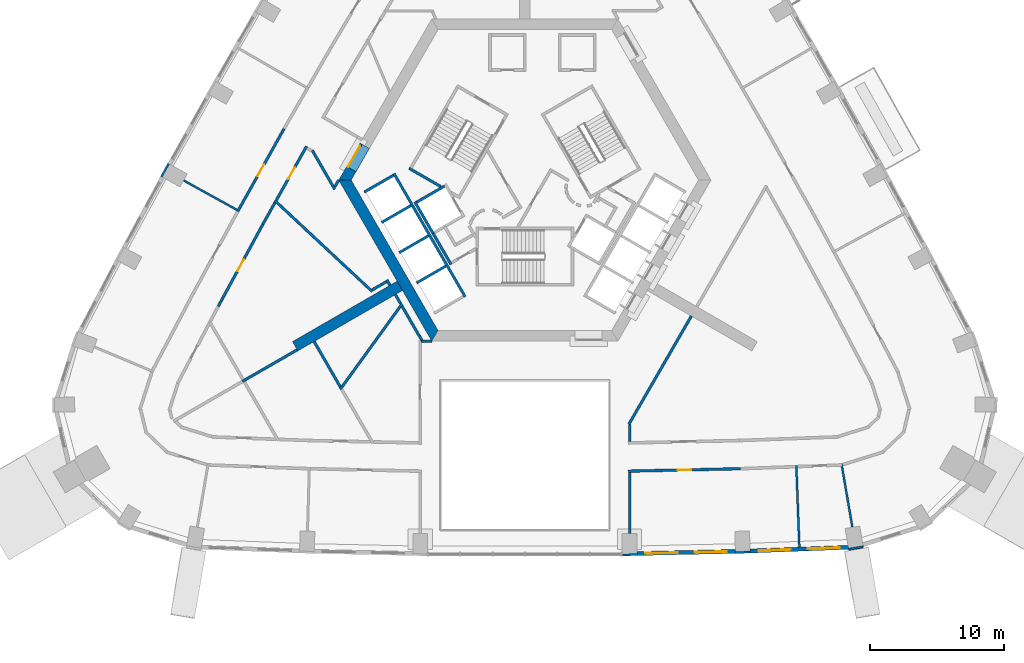
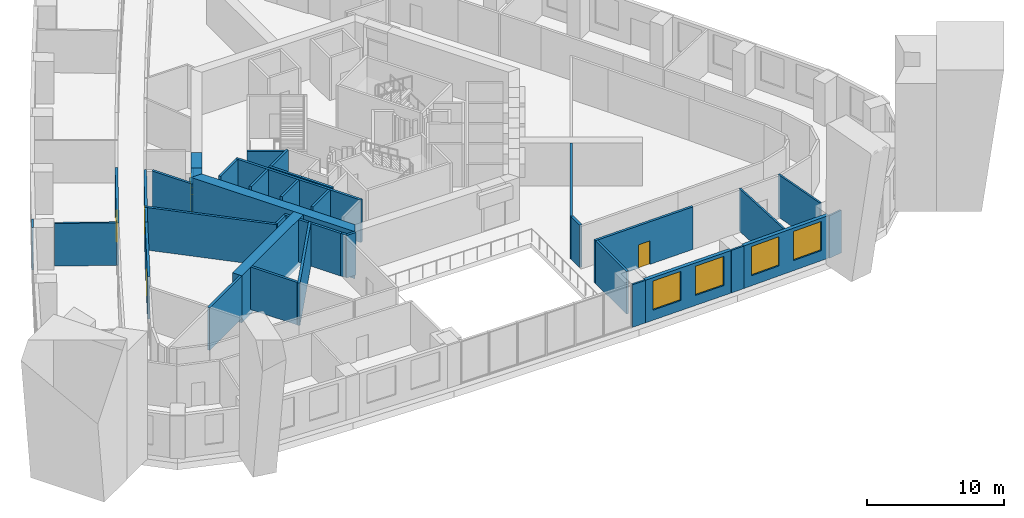
# One storey, part 5 of 14: 43 walls, 5 doors, 4 windows, 9 openings.
"""IFC4 building model written with IfcOpenShell, lengths in metres."""

from ifc_helpers import new_model, si_unit, direction, frame, frame_2d, origin, place, context, subcontext, project, spatial, polyline, rectangle, outline, extrude, material, layer, layer_set, type_object, element, fill, save


model = new_model("IFC4")

# Units and contexts
model_context = context("Model", 3, precision=1e-05, world=origin(), true_north=direction((0.0, 1.0)))
body_context = subcontext(model_context, "Body", "Model", "MODEL_VIEW")
ifc_project = project(units=[si_unit("LENGTHUNIT", "METRE"), si_unit("AREAUNIT", "SQUARE_METRE"), si_unit("VOLUMEUNIT", "CUBIC_METRE"), si_unit("PLANEANGLEUNIT", "RADIAN"), si_unit("MASSUNIT", "GRAM", prefix="KILO")], contexts=[model_context])

# Site, building, storey
site_placement = place(None, origin())
site = spatial("IfcSite", under=ifc_project, at=site_placement, CompositionType="ELEMENT")
building_placement = place(site_placement, origin())
building = spatial("IfcBuilding", under=site, at=building_placement, Name="Entoto Arch Interchange Tower", CompositionType="ELEMENT")
storey_placement = place(building_placement, frame((0.0, 0.0, 163.39990234375)))
storey = spatial("IfcBuildingStorey", under=building, at=storey_placement, Name="L36", CompositionType="ELEMENT", Elevation=163.39990234375)

# Wall
ifc_material_1 = material(Name="Concrete C50/60", Category="concrete")
ifc_layer_1 = layer(ifc_material_1, 0.800048828125)
ifc_layer_set_1 = layer_set([ifc_layer_1], Name="Concrete C50/60")
wall_type_1 = type_object("IfcWallType", Name="Buttress wall 800 C50/60", PredefinedType="SHEAR", material=ifc_layer_set_1)
wall_1_placement = place(storey_placement, frame((-9.31005859375, -5.375, -0.39990234375), z_axis=(0.0, 0.0, 1.0), x_axis=(-0.866017533419, -0.500013631625, 0.0)))
element("IfcWall", 1, at=wall_1_placement, inside=storey, type_object=wall_type_1, Name="Buttress wall SW L36", PredefinedType="SHEAR", context=body_context, shape_type="SweptSolid", body=[
    extrude(rectangle(XDim=8.999755859375, YDim=0.800048828125, at=frame_2d((4.5, 0.0))), origin(), (0.0, 0.0, 1.0), 4.199951171875),
])

# Wall, opening, door
ifc_material_2 = material(Name="Reinforced concrete C40/50", Category="concrete")
ifc_layer_2 = layer(ifc_material_2, 0.199951171875)
ifc_layer_set_2 = layer_set([ifc_layer_2], Name="Reinforced concrete C40/50")
wall_type_2 = type_object("IfcWallType", Name="CORE GAP INFILL WALL", PredefinedType="PARTITIONING", material=ifc_layer_set_2)
wall_2_placement = place(storey_placement, frame((-12.179931640625, 5.201904296875, 0.0), z_axis=(0.0, 0.0, 1.0), x_axis=(-0.50002537861, -0.866010750942, 0.0)))
wall_2 = element("IfcWall", 2, at=wall_2_placement, inside=storey, type_object=wall_type_2, Name="wall:L36:gap3", PredefinedType="PARTITIONING", context=body_context, shape_type="SweptSolid", body=[
    extrude(rectangle(XDim=2.0, YDim=0.199951171875, at=frame_2d((1.0, 0.0))), origin(), (0.0, 0.0, 1.0), 2.400146484375),
])
opening_1_placement = place(wall_2_placement, frame((0.18994140625, 0.0, 0.0)))
opening_1 = element("IfcOpeningElement", 3, at=opening_1_placement, cuts=wall_2, Name="Opening L36-D93", PredefinedType="OPENING", context=body_context, shape_type="SweptSolid", body=[
    extrude(rectangle(XDim=1.800048828125, YDim=2.10009765625, at=frame_2d((0.89990234375, 1.050048828125))), frame((0.0, 0.10986328125, 0.0), z_axis=(0.0, -1.0, 0.0), x_axis=(1.0, 0.0, 0.0)), (0.0, 0.0, 1.0), 0.219970703125),
])
ifc_material_3 = material(Name="Fire-rated Steel S235 door and frame", Category="steel")
door_type_1 = type_object("IfcDoorType", Name="DOOR FD-18 1800x2100", OperationType="DOUBLE_DOOR_SINGLE_SWING", PredefinedType="DOOR", material=ifc_material_3)
door_1_placement = place(opening_1_placement, origin())
door_1 = element("IfcDoor", 4, at=door_1_placement, inside=storey, type_object=door_type_1, Name="door:L36:gap3", OperationType="DOUBLE_DOOR_SINGLE_SWING", OverallHeight=2.10009765625, OverallWidth=1.800048828125, PredefinedType="DOOR", context=body_context, shape_type="SweptSolid", body=[
    extrude(rectangle(XDim=1.800048828125, YDim=2.10009765625, at=frame_2d((0.89990234375, 1.050048828125))), frame((0.0, 0.02490234375, 0.0), z_axis=(0.0, -1.0, 0.0), x_axis=(1.0, 0.0, 0.0)), (0.0, 0.0, 1.0), 0.050048828125),
])
fill(opening_1, door_1)

# Walls
ifc_layer_3 = layer(ifc_material_1, 0.800048828125)
ifc_layer_set_3 = layer_set([ifc_layer_3], Name="Concrete C50/60")
wall_type_3 = type_object("IfcWallType", Name="Core wall 800 C50/60", PredefinedType="SHEAR", material=ifc_layer_set_3)
wall_3_placement = place(storey_placement, frame((0.0, 0.0, -0.39990234375)))
element("IfcWall", 5, at=wall_3_placement, inside=storey, type_object=wall_type_3, Name="Core wall NW L36", PredefinedType="SHEAR", context=body_context, shape_type="SweptSolid", body=[
    extrude(outline(polyline([(-12.574951171875, 3.1201171875), (-13.26708984375, 3.52001953125), (-13.85595703125, 2.5), (-12.93310546875, 2.5), (-12.574951171875, 3.1201171875)])), origin(), (0.0, 0.0, 1.0), 4.199951171875),
])
wall_4_placement = place(storey_placement, frame((0.0, 0.0, 3.60009765625)))
element("IfcWall", 6, at=wall_4_placement, inside=storey, type_object=wall_type_3, Name="Core wall lintel NW L36", PredefinedType="SHEAR", context=body_context, shape_type="SweptSolid", body=[
    extrude(outline(polyline([(-13.26708984375, 3.52001953125), (-12.574951171875, 3.1201171875), (-11.574951171875, 4.85205078125), (-12.26708984375, 5.251953125), (-13.26708984375, 3.52001953125)])), origin(), (0.0, 0.0, 1.0), 0.199951171875),
])
wall_5_placement = place(storey_placement, frame((0.0, 0.0, -0.39990234375)))
element("IfcWall", 7, at=wall_5_placement, inside=storey, type_object=wall_type_3, Name="Core wall SW L36", PredefinedType="SHEAR", context=body_context, shape_type="SweptSolid", body=[
    extrude(outline(polyline([(-13.85595703125, 2.5), (-6.927978515625, -9.5), (-6.466064453125, -8.699951171875), (-12.93310546875, 2.5), (-13.85595703125, 2.5)])), origin(), (0.0, 0.0, 1.0), 4.199951171875),
])
ifc_material_4 = material(Name="Concrete C40/50", Category="concrete")
ifc_layer_4 = layer(ifc_material_4, 0.199951171875)
ifc_layer_set_4 = layer_set([ifc_layer_4], Name="Concrete C40/50")
wall_type_4 = type_object("IfcWallType", Name="LIFT SHAFT WALL 200", PredefinedType="STANDARD", material=ifc_layer_set_4)
wall_6_placement = place(storey_placement, frame((-8.19189453125, 0.887939453125, 0.0), z_axis=(0.0, 0.0, 1.0), x_axis=(0.49994636267, -0.866056369097, 0.0)))
element("IfcWall", 8, at=wall_6_placement, inside=storey, type_object=wall_type_4, Name="Shaft wall SW1 back", PredefinedType="STANDARD", context=body_context, shape_type="SweptSolid", body=[
    extrude(rectangle(XDim=2.800048828125, YDim=0.199951171875, at=frame_2d((1.39990234375, 0.0))), origin(), (0.0, 0.0, 1.0), 3.800048828125),
])
wall_7_placement = place(storey_placement, frame((-5.97705078125, 2.052001953125, 0.0), z_axis=(0.0, 0.0, 1.0), x_axis=(-0.865973769406, -0.500089422704, 0.0)))
element("IfcWall", 9, at=wall_7_placement, inside=storey, type_object=wall_type_4, Name="Shaft wall SW1 cross 1", PredefinedType="STANDARD", context=body_context, shape_type="SweptSolid", body=[
    extrude(rectangle(XDim=2.3994140625, YDim=0.199951171875, at=frame_2d((1.19970703125, 0.0))), origin(), (0.0, 0.0, 1.0), 3.800048828125),
])
wall_8_placement = place(storey_placement, frame((-9.7509765625, 2.989990234375, 0.0), z_axis=(0.0, 0.0, 1.0), x_axis=(0.50000090737, -0.866024879913, 0.0)))
element("IfcWall", 10, at=wall_8_placement, inside=storey, type_object=wall_type_4, Name="Shaft wall SW3 front", PredefinedType="STANDARD", context=body_context, shape_type="SweptSolid", body=[
    extrude(rectangle(XDim=10.60009765625, YDim=0.199951171875, at=frame_2d((5.300048828125, 0.0))), origin(), (0.0, 0.0, 1.0), 3.800048828125),
])
wall_9_placement = place(storey_placement, frame((-9.7880859375, 2.85302734375, 0.0), z_axis=(0.0, 0.0, 1.0), x_axis=(-0.865998541277, -0.500046524342, 0.0)))
element("IfcWall", 11, at=wall_9_placement, inside=storey, type_object=wall_type_4, Name="Shaft wall SW3 cross 1", PredefinedType="STANDARD", context=body_context, shape_type="SweptSolid", body=[
    extrude(rectangle(XDim=2.499755859375, YDim=0.199951171875, at=frame_2d((1.25, 0.0))), origin(), (0.0, 0.0, 1.0), 3.800048828125),
])
for number, where, z_axis, x_axis, name in (
    (12, (-8.488037109375, 0.60205078125, 0.0), (0.0, 0.0, 1.0), (-0.866022959057, -0.500004234368, 0.0), "Shaft wall SW3 cross 2"),
    (13, (-7.18798828125, -1.64990234375, 0.0), (0.0, 0.0, 1.0), (-0.866022959057, -0.500004234368, 0.0), "Shaft wall SW3 cross 3"),
    (14, (-5.887939453125, -3.902099609375, 0.0), (0.0, 0.0, 1.0), (-0.866022959057, -0.500004234368, 0.0), "Shaft wall SW3 cross 4"),
):
    element("IfcWall", number, at=place(storey_placement, frame(where, z_axis=z_axis, x_axis=x_axis)), inside=storey, type_object=wall_type_4, Name=name, PredefinedType="STANDARD", context=body_context, shape_type="SweptSolid", body=[
        extrude(rectangle(XDim=2.5, YDim=0.199951171875, at=frame_2d((1.25, 0.0))), origin(), (0.0, 0.0, 1.0), 3.800048828125),
    ])
ifc_material_5 = material(Name="Gypsum board partition on steel studs", Category="steel")
ifc_layer_5 = layer(ifc_material_5, 0.14990234375)
ifc_layer_set_5 = layer_set([ifc_layer_5], Name="Gypsum board partition on steel studs")
wall_type_5 = type_object("IfcWallType", Name="PARTITION 150", PredefinedType="PARTITIONING", material=ifc_layer_set_5)
wall_10_placement = place(storey_placement, frame((20.215087890625, -18.738037109375, 0.0), z_axis=(0.0, 0.0, 1.0), x_axis=(0.037020542149, -0.999314504778, 0.0)))
element("IfcWall", 15, at=wall_10_placement, inside=storey, type_object=wall_type_5, Name="wall:L36:p134", PredefinedType="PARTITIONING", context=body_context, shape_type="SweptSolid", body=[
    extrude(rectangle(XDim=6.10009765625, YDim=0.14990234375, at=frame_2d((3.050048828125, 0.0))), origin(), (0.0, 0.0, 1.0), 3.800048828125),
])
wall_11_placement = place(storey_placement, frame((23.577880859375, -18.614013671875, 0.0), z_axis=(0.0, 0.0, 1.0), x_axis=(0.169054430835, -0.985606716401, 0.0)))
element("IfcWall", 16, at=wall_11_placement, inside=storey, type_object=wall_type_5, Name="wall:L36:p135", PredefinedType="PARTITIONING", context=body_context, shape_type="SweptSolid", body=[
    extrude(rectangle(XDim=4.785888671875, YDim=0.14990234375, at=frame_2d((2.39306640625, 0.0))), origin(), (0.0, 0.0, 1.0), 3.800048828125),
])
wall_12_placement = place(storey_placement, frame((-21.431884765625, 0.278076171875, 0.0), z_axis=(0.0, 0.0, 1.0), x_axis=(-0.875412579047, 0.483376474857, 0.0)))
element("IfcWall", 17, at=wall_12_placement, inside=storey, type_object=wall_type_5, Name="wall:L36:p143", PredefinedType="PARTITIONING", context=body_context, shape_type="SweptSolid", body=[
    extrude(rectangle(XDim=4.530517578125, YDim=0.14990234375, at=frame_2d((2.26513671875, 0.0))), origin(), (0.0, 0.0, 1.0), 3.800048828125),
])
ifc_layer_6 = layer(ifc_material_5, 0.199951171875)
ifc_layer_set_6 = layer_set([ifc_layer_6], Name="Gypsum board partition on steel studs")
wall_type_6 = type_object("IfcWallType", Name="PARTITION 200", PredefinedType="PARTITIONING", material=ifc_layer_set_6)
wall_13_placement = place(storey_placement, frame((-13.85009765625, 2.513916015625, 0.0), z_axis=(0.0, 0.0, 1.0), x_axis=(-0.500418219013, -0.865783810244, 0.0)))
element("IfcWall", 18, at=wall_13_placement, inside=storey, type_object=wall_type_6, Name="wall:L36:p027", PredefinedType="PARTITIONING", context=body_context, shape_type="SweptSolid", body=[
    extrude(rectangle(XDim=0.607421875, YDim=0.199951171875, at=frame_2d((0.3037109375, 0.0))), origin(), (0.0, 0.0, 1.0), 3.800048828125),
])
wall_14_placement = place(storey_placement, frame((-14.154052734375, 1.81494140625, 0.0), z_axis=(0.0, 0.0, 1.0), x_axis=(-0.500038857296, 0.866002968352, 0.0)))
element("IfcWall", 19, at=wall_14_placement, inside=storey, type_object=wall_type_6, Name="wall:L36:p028", PredefinedType="PARTITIONING", context=body_context, shape_type="SweptSolid", body=[
    extrude(rectangle(XDim=3.339599609375, YDim=0.199951171875, at=frame_2d((1.669921875, 0.0))), origin(), (0.0, 0.0, 1.0), 3.800048828125),
])

# Wall, opening, door
wall_15_placement = place(storey_placement, frame((-16.2548828125, 5.013916015625, 0.0), z_axis=(0.0, 0.0, 1.0), x_axis=(-0.488988017817, -0.87229050117, 0.0)))
wall_15 = element("IfcWall", 20, at=wall_15_placement, inside=storey, type_object=wall_type_6, Name="wall:L36:p030", PredefinedType="PARTITIONING", context=body_context, shape_type="SweptSolid", body=[
    extrude(rectangle(XDim=4.599365234375, YDim=0.199951171875, at=frame_2d((2.2998046875, 0.0))), origin(), (0.0, 0.0, 1.0), 3.800048828125),
])
opening_2_placement = place(wall_15_placement, frame((1.800048828125, 0.0, 0.0)))
opening_2 = element("IfcOpeningElement", 21, at=opening_2_placement, cuts=wall_15, Name="Opening L36-D17", PredefinedType="OPENING", context=body_context, shape_type="SweptSolid", body=[
    extrude(rectangle(XDim=1.0, YDim=2.10009765625, at=frame_2d((0.5, 1.050048828125))), frame((0.0, 0.10986328125, 0.0), z_axis=(0.0, -1.0, 0.0), x_axis=(1.0, 0.0, 0.0)), (0.0, 0.0, 1.0), 0.219970703125),
])
ifc_material_6 = material(Name="Timber door leaf in Steel S235 frame", Category="steel")
door_type_2 = type_object("IfcDoorType", Name="DOOR DS-10 1000x2100", OperationType="SINGLE_SWING_LEFT", PredefinedType="DOOR", material=ifc_material_6)
door_2_placement = place(opening_2_placement, origin())
door_2 = element("IfcDoor", 22, at=door_2_placement, inside=storey, type_object=door_type_2, Name="door:L36:17", OperationType="SINGLE_SWING_LEFT", OverallHeight=2.10009765625, OverallWidth=1.0, PredefinedType="DOOR", context=body_context, shape_type="SweptSolid", body=[
    extrude(rectangle(XDim=1.0, YDim=2.10009765625, at=frame_2d((0.5, 1.050048828125))), frame((0.0, 0.02490234375, 0.0), z_axis=(0.0, -1.0, 0.0), x_axis=(1.0, 0.0, 0.0)), (0.0, 0.0, 1.0), 0.050048828125),
])
fill(opening_2, door_2)

# Wall
wall_16_placement = place(storey_placement, frame((-18.60205078125, 0.827880859375, 0.0), z_axis=(0.0, 0.0, 1.0), x_axis=(-0.488969229043, -0.872301033502, 0.0)))
element("IfcWall", 23, at=wall_16_placement, inside=storey, type_object=wall_type_6, Name="wall:L36:p032", PredefinedType="PARTITIONING", context=body_context, shape_type="SweptSolid", body=[
    extrude(rectangle(XDim=1.848876953125, YDim=0.199951171875, at=frame_2d((0.92431640625, 0.0))), origin(), (0.0, 0.0, 1.0), 3.800048828125),
])

# Wall, opening, door
wall_17_placement = place(storey_placement, frame((-19.506103515625, -0.784912109375, 0.0), z_axis=(0.0, 0.0, 1.0), x_axis=(-0.477513909405, -0.878624189472, 0.0)))
wall_17 = element("IfcWall", 24, at=wall_17_placement, inside=storey, type_object=wall_type_6, Name="wall:L36:p033", PredefinedType="PARTITIONING", context=body_context, shape_type="SweptSolid", body=[
    extrude(rectangle(XDim=6.956298828125, YDim=0.199951171875, at=frame_2d((3.47802734375, 0.0))), origin(), (0.0, 0.0, 1.0), 3.800048828125),
])
opening_3_placement = place(wall_17_placement, frame((2.97802734375, 0.0, 0.0)))
opening_3 = element("IfcOpeningElement", 25, at=opening_3_placement, cuts=wall_17, Name="Opening L36-D19", PredefinedType="OPENING", context=body_context, shape_type="SweptSolid", body=[
    extrude(rectangle(XDim=1.0, YDim=2.10009765625, at=frame_2d((0.5, 1.050048828125))), frame((0.0, 0.10986328125, 0.0), z_axis=(0.0, -1.0, 0.0), x_axis=(1.0, 0.0, 0.0)), (0.0, 0.0, 1.0), 0.219970703125),
])
door_3_placement = place(opening_3_placement, origin())
door_3 = element("IfcDoor", 26, at=door_3_placement, inside=storey, type_object=door_type_2, Name="door:L36:19", OperationType="SINGLE_SWING_LEFT", OverallHeight=2.10009765625, OverallWidth=1.0, PredefinedType="DOOR", context=body_context, shape_type="SweptSolid", body=[
    extrude(rectangle(XDim=1.0, YDim=2.10009765625, at=frame_2d((0.5, 1.050048828125))), frame((0.0, 0.02490234375, 0.0), z_axis=(0.0, -1.0, 0.0), x_axis=(1.0, 0.0, 0.0)), (0.0, 0.0, 1.0), 0.050048828125),
])
fill(opening_3, door_3)

wall_18_placement = place(storey_placement, frame((16.049072265625, -18.991943359375, 0.0), z_axis=(0.0, 0.0, 1.0), x_axis=(-0.999762156504, -0.021808952826, 0.0)))
wall_18 = element("IfcWall", 27, at=wall_18_placement, inside=storey, type_object=wall_type_6, Name="wall:L36:p044", PredefinedType="PARTITIONING", context=body_context, shape_type="SweptSolid", body=[
    extrude(rectangle(XDim=8.35107421875, YDim=0.199951171875, at=frame_2d((4.175537109375, 0.0))), origin(), (0.0, 0.0, 1.0), 3.800048828125),
])
opening_4_placement = place(wall_18_placement, frame((3.675048828125, 0.0, 0.0)))
opening_4 = element("IfcOpeningElement", 28, at=opening_4_placement, cuts=wall_18, Name="Opening L36-D01", PredefinedType="OPENING", context=body_context, shape_type="SweptSolid", body=[
    extrude(rectangle(XDim=1.0, YDim=2.10009765625, at=frame_2d((0.5, 1.050048828125))), frame((0.0, 0.10986328125, 0.0), z_axis=(0.0, -1.0, 0.0), x_axis=(1.0, 0.0, 0.0)), (0.0, 0.0, 1.0), 0.219970703125),
])
door_4_placement = place(opening_4_placement, origin())
door_4 = element("IfcDoor", 29, at=door_4_placement, inside=storey, type_object=door_type_2, Name="door:L36:01", OperationType="SINGLE_SWING_RIGHT", OverallHeight=2.10009765625, OverallWidth=1.0, PredefinedType="DOOR", context=body_context, shape_type="SweptSolid", body=[
    extrude(rectangle(XDim=1.0, YDim=2.10009765625, at=frame_2d((0.5, 1.050048828125))), frame((0.0, 0.02490234375, 0.0), z_axis=(0.0, -1.0, 0.0), x_axis=(1.0, 0.0, 0.0)), (0.0, 0.0, 1.0), 0.050048828125),
])
fill(opening_4, door_4)

wall_19_placement = place(storey_placement, frame((-21.381103515625, 0.1650390625, 0.0), z_axis=(0.0, 0.0, 1.0), x_axis=(0.489014139272, 0.872275857509, 0.0)))
wall_19 = element("IfcWall", 30, at=wall_19_placement, inside=storey, type_object=wall_type_6, Name="wall:L36:p068", PredefinedType="PARTITIONING", context=body_context, shape_type="SweptSolid", body=[
    extrude(rectangle(XDim=7.057373046875, YDim=0.199951171875, at=frame_2d((3.52880859375, 0.0))), origin(), (0.0, 0.0, 1.0), 3.800048828125),
])
opening_5_placement = place(wall_19_placement, frame((3.029052734375, 0.0, 0.0)))
opening_5 = element("IfcOpeningElement", 31, at=opening_5_placement, cuts=wall_19, Name="Opening L36-D10", PredefinedType="OPENING", context=body_context, shape_type="SweptSolid", body=[
    extrude(rectangle(XDim=1.0, YDim=2.10009765625, at=frame_2d((0.5, 1.050048828125))), frame((0.0, 0.10986328125, 0.0), z_axis=(0.0, -1.0, 0.0), x_axis=(1.0, 0.0, 0.0)), (0.0, 0.0, 1.0), 0.219970703125),
])
door_5_placement = place(opening_5_placement, origin())
door_5 = element("IfcDoor", 32, at=door_5_placement, inside=storey, type_object=door_type_2, Name="door:L36:10", OperationType="SINGLE_SWING_RIGHT", OverallHeight=2.10009765625, OverallWidth=1.0, PredefinedType="DOOR", context=body_context, shape_type="SweptSolid", body=[
    extrude(rectangle(XDim=1.0, YDim=2.10009765625, at=frame_2d((0.5, 1.050048828125))), frame((0.0, 0.02490234375, 0.0), z_axis=(0.0, -1.0, 0.0), x_axis=(1.0, 0.0, 0.0)), (0.0, 0.0, 1.0), 0.050048828125),
])
fill(opening_5, door_5)

# Walls
wall_20_placement = place(storey_placement, frame((-5.491943359375, -3.7880859375, 0.0), z_axis=(0.0, 0.0, 1.0), x_axis=(-0.500008949224, 0.866020236886, 0.0)))
element("IfcWall", 33, at=wall_20_placement, inside=storey, type_object=wall_type_6, Name="wall:L36:p095", PredefinedType="PARTITIONING", context=body_context, shape_type="SweptSolid", body=[
    extrude(rectangle(XDim=2.68017578125, YDim=0.199951171875, at=frame_2d((1.340087890625, 0.0))), origin(), (0.0, 0.0, 1.0), 3.800048828125),
])
wall_21_placement = place(storey_placement, frame((7.800048828125, -15.68994140625, 0.0), z_axis=(0.0, 0.0, 1.0), x_axis=(0.0, -1.0, 0.0)))
element("IfcWall", 34, at=wall_21_placement, inside=storey, type_object=wall_type_6, Name="wall:L36:p116", PredefinedType="PARTITIONING", context=body_context, shape_type="SweptSolid", body=[
    extrude(rectangle(XDim=1.281005859375, YDim=0.199951171875, at=frame_2d((0.640625, 0.0))), origin(), (0.0, 0.0, 1.0), 3.800048828125),
])
wall_22_placement = place(storey_placement, frame((-7.721923828125, -9.4990234375, 0.0), z_axis=(0.0, 0.0, 1.0), x_axis=(1.0, 0.0, 0.0)))
element("IfcWall", 35, at=wall_22_placement, inside=storey, type_object=wall_type_6, Name="wall:L36:p117", PredefinedType="PARTITIONING", context=body_context, shape_type="SweptSolid", body=[
    extrude(rectangle(XDim=0.79296875, YDim=0.199951171875, at=frame_2d((0.396484375, 0.0))), origin(), (0.0, 0.0, 1.0), 3.800048828125),
])
wall_23_placement = place(storey_placement, frame((7.800048828125, -19.27197265625, 0.0), z_axis=(0.0, 0.0, 1.0), x_axis=(0.0, -1.0, 0.0)))
element("IfcWall", 36, at=wall_23_placement, inside=storey, type_object=wall_type_6, Name="wall:L36:p119", PredefinedType="PARTITIONING", context=body_context, shape_type="SweptSolid", body=[
    extrude(rectangle(XDim=4.531005859375, YDim=0.199951171875, at=frame_2d((2.265625, 0.0))), origin(), (0.0, 0.0, 1.0), 3.800048828125),
])
wall_24_placement = place(storey_placement, frame((-7.862060546875, -9.10693359375, 0.0), z_axis=(0.0, 0.0, 1.0), x_axis=(-0.499994038704, 0.866028845513, 0.0)))
element("IfcWall", 37, at=wall_24_placement, inside=storey, type_object=wall_type_6, Name="wall:L36:p122", PredefinedType="PARTITIONING", context=body_context, shape_type="SweptSolid", body=[
    extrude(rectangle(XDim=2.56787109375, YDim=0.199951171875, at=frame_2d((1.283935546875, 0.0))), origin(), (0.0, 0.0, 1.0), 3.800048828125),
])
wall_25_placement = place(storey_placement, frame((-7.64990234375, -9.450927734375, 0.0), z_axis=(0.0, 0.0, 1.0), x_axis=(-0.500297731093, 0.865853440406, 0.0)))
element("IfcWall", 38, at=wall_25_placement, inside=storey, type_object=wall_type_6, Name="wall:L36:p123", PredefinedType="PARTITIONING", context=body_context, shape_type="SweptSolid", body=[
    extrude(rectangle(XDim=0.404052734375, YDim=0.199951171875, at=frame_2d((0.2021484375, 0.0))), origin(), (0.0, 0.0, 1.0), 3.800048828125),
])
wall_26_placement = place(storey_placement, frame((-9.24609375, -6.7099609375, 0.0), z_axis=(0.0, 0.0, 1.0), x_axis=(-0.499570510076, 0.86627322795, 0.0)))
element("IfcWall", 39, at=wall_26_placement, inside=storey, type_object=wall_type_6, Name="wall:L36:p124", PredefinedType="PARTITIONING", context=body_context, shape_type="SweptSolid", body=[
    extrude(rectangle(XDim=0.788330078125, YDim=0.199951171875, at=frame_2d((0.39404296875, 0.0))), origin(), (0.0, 0.0, 1.0), 3.800048828125),
])
wall_27_placement = place(storey_placement, frame((-10.31005859375, -5.06591796875, 0.0), z_axis=(0.0, 0.0, 1.0), x_axis=(-0.865587329375, -0.500758000661, 0.0)))
element("IfcWall", 40, at=wall_27_placement, inside=storey, type_object=wall_type_6, Name="wall:L36:p125", PredefinedType="PARTITIONING", context=body_context, shape_type="SweptSolid", body=[
    extrude(rectangle(XDim=1.21044921875, YDim=0.199951171875, at=frame_2d((0.605224609375, 0.0))), origin(), (0.0, 0.0, 1.0), 3.800048828125),
])
wall_28_placement = place(storey_placement, frame((-11.3720703125, -5.7900390625, 0.0), z_axis=(0.0, 0.0, 1.0), x_axis=(-0.730922728623, 0.682460229451, 0.0)))
element("IfcWall", 41, at=wall_28_placement, inside=storey, type_object=wall_type_6, Name="wall:L36:p126", PredefinedType="PARTITIONING", context=body_context, shape_type="SweptSolid", body=[
    extrude(rectangle(XDim=9.92431640625, YDim=0.199951171875, at=frame_2d((4.962158203125, 0.0))), origin(), (0.0, 0.0, 1.0), 3.800048828125),
])
wall_29_placement = place(storey_placement, frame((-13.743896484375, -13.075927734375, 0.0), z_axis=(0.0, 0.0, 1.0), x_axis=(0.586577314901, 0.809893235953, 0.0)))
element("IfcWall", 42, at=wall_29_placement, inside=storey, type_object=wall_type_6, Name="wall:L36:p127", PredefinedType="PARTITIONING", context=body_context, shape_type="SweptSolid", body=[
    extrude(rectangle(XDim=7.85400390625, YDim=0.199951171875, at=frame_2d((3.927001953125, 0.0))), origin(), (0.0, 0.0, 1.0), 3.800048828125),
])
wall_30_placement = place(storey_placement, frame((-13.736083984375, -12.908935546875, 0.0), z_axis=(0.0, 0.0, 1.0), x_axis=(-0.49990810406, 0.866078453429, 0.0)))
element("IfcWall", 43, at=wall_30_placement, inside=storey, type_object=wall_type_6, Name="wall:L36:p129", PredefinedType="PARTITIONING", context=body_context, shape_type="SweptSolid", body=[
    extrude(rectangle(XDim=3.908447265625, YDim=0.199951171875, at=frame_2d((1.9541015625, 0.0))), origin(), (0.0, 0.0, 1.0), 3.800048828125),
])
wall_31_placement = place(storey_placement, frame((-16.951904296875, -10.137939453125, 0.0), z_axis=(0.0, 0.0, 1.0), x_axis=(-0.866054992606, -0.499948747156, 0.0)))
element("IfcWall", 44, at=wall_31_placement, inside=storey, type_object=wall_type_6, Name="wall:L36:p130", PredefinedType="PARTITIONING", context=body_context, shape_type="SweptSolid", body=[
    extrude(rectangle(XDim=4.70068359375, YDim=0.199951171875, at=frame_2d((2.350341796875, 0.0))), origin(), (0.0, 0.0, 1.0), 3.800048828125),
])
wall_32_placement = place(storey_placement, frame((12.40087890625, -7.62109375, 0.0), z_axis=(0.0, 0.0, 1.0), x_axis=(-0.499983724212, -0.866034800411, 0.0)))
element("IfcWall", 45, at=wall_32_placement, inside=storey, type_object=wall_type_6, Name="wall:L36:p121", PredefinedType="PARTITIONING", context=body_context, shape_type="SweptSolid", body=[
    extrude(rectangle(XDim=9.302001953125, YDim=0.199951171875, at=frame_2d((4.65087890625, 0.0))), origin(), (0.0, 0.0, 1.0), 3.800048828125),
])
wall_33_placement = place(storey_placement, frame((-10.0400390625, -5.333984375, 0.0), z_axis=(0.0, 0.0, 1.0), x_axis=(-0.499405191234, 0.86636854454, 0.0)))
element("IfcWall", 46, at=wall_33_placement, inside=storey, type_object=wall_type_6, Name="wall:L36:p124", PredefinedType="PARTITIONING", context=body_context, shape_type="SweptSolid", body=[
    extrude(rectangle(XDim=0.46630859375, YDim=0.199951171875, at=frame_2d((0.233154296875, 0.0))), origin(), (0.0, 0.0, 1.0), 3.800048828125),
])
ifc_layer_7 = layer(ifc_material_4, 0.199951171875)
ifc_layer_set_7 = layer_set([ifc_layer_7], Name="Concrete C40/50")
wall_type_7 = type_object("IfcWallType", Name="STAIR ENCLOSURE WALL 200", PredefinedType="STANDARD", material=ifc_layer_set_7)
wall_34_placement = place(storey_placement, frame((-6.25, 2.010009765625, 0.0), z_axis=(0.0, 0.0, 1.0), x_axis=(-0.86611865017, 0.499838457731, 0.0)))
element("IfcWall", 47, at=wall_34_placement, inside=storey, type_object=wall_type_7, Name="Stair wall ST-NW far", PredefinedType="STANDARD", context=body_context, shape_type="SweptSolid", body=[
    extrude(rectangle(XDim=2.73291015625, YDim=0.199951171875, at=frame_2d((1.366455078125, 0.0))), origin(), (0.0, 0.0, 1.0), 3.800048828125),
])

# Wall, openings, windows
ifc_material_7 = material(Name="Welded tuff (ignimbrite) cladding, warm buff", Category="masonry")
ifc_layer_8 = layer(ifc_material_7, 0.300048828125)
ifc_layer_set_8 = layer_set([ifc_layer_8], Name="Welded tuff (ignimbrite) cladding, warm buff")
wall_type_8 = type_object("IfcWallType", Name="STONE INFILL WALL 300", PredefinedType="STANDARD", material=ifc_layer_set_8)
wall_35_placement = place(storey_placement, frame((8.346923828125, -25.31103515625, 0.0), z_axis=(0.0, 0.0, 1.0), x_axis=(0.999765201774, 0.021668902196, 0.0)))
wall_35 = element("IfcWall", 48, at=wall_35_placement, inside=storey, type_object=wall_type_8, Name="Facade wall S-04 L36", PredefinedType="STANDARD", context=body_context, shape_type="SweptSolid", body=[
    extrude(rectangle(XDim=7.334716796875, YDim=0.300048828125, at=frame_2d((3.66748046875, 0.0))), origin(), (0.0, 0.0, 1.0), 3.800048828125),
])
opening_6_placement = place(wall_35_placement, frame((0.634033203125, 0.0, 0.89990234375)))
opening_6 = element("IfcOpeningElement", 49, at=opening_6_placement, cuts=wall_35, Name="Opening WO-A", PredefinedType="OPENING", context=body_context, shape_type="SweptSolid", body=[
    extrude(rectangle(XDim=2.39990234375, YDim=2.60009765625, at=frame_2d((1.199951171875, 1.300048828125))), frame((0.0, 0.16015625, 0.0), z_axis=(0.0, -1.0, 0.0), x_axis=(1.0, 0.0, 0.0)), (0.0, 0.0, 1.0), 0.320068359375),
])
opening_7_placement = place(wall_35_placement, frame((4.301025390625, 0.0, 0.89990234375)))
opening_7 = element("IfcOpeningElement", 50, at=opening_7_placement, cuts=wall_35, Name="Opening WO-A", PredefinedType="OPENING", context=body_context, shape_type="SweptSolid", body=[
    extrude(rectangle(XDim=2.39990234375, YDim=2.60009765625, at=frame_2d((1.199951171875, 1.300048828125))), frame((0.0, 0.16015625, 0.0), z_axis=(0.0, -1.0, 0.0), x_axis=(1.0, 0.0, 0.0)), (0.0, 0.0, 1.0), 0.320068359375),
])
ifc_material_8 = material(Name="Clear glass, low-e double glazed", Category="glass")
window_type = type_object("IfcWindowType", Name="WINDOW WO-A 2400x2600", PartitioningType="DOUBLE_PANEL_VERTICAL", PredefinedType="WINDOW", material=ifc_material_8)
window_1_placement = place(opening_6_placement, origin())
window_1 = element("IfcWindow", 51, at=window_1_placement, inside=storey, type_object=window_type, Name="Window WO-A S-04 L36", OverallHeight=2.60009765625, OverallWidth=2.39990234375, PartitioningType="SINGLE_PANEL", PredefinedType="WINDOW", context=body_context, shape_type="SweptSolid", body=[
    extrude(rectangle(XDim=2.39990234375, YDim=2.60009765625, at=frame_2d((1.199951171875, 1.300048828125))), frame((0.0, 0.030029296875, 0.0), z_axis=(0.0, -1.0, 0.0), x_axis=(1.0, 0.0, 0.0)), (0.0, 0.0, 1.0), 0.06005859375),
])
fill(opening_6, window_1)
window_2_placement = place(opening_7_placement, origin())
window_2 = element("IfcWindow", 52, at=window_2_placement, inside=storey, type_object=window_type, Name="Window WO-A S-04 L36", OverallHeight=2.60009765625, OverallWidth=2.39990234375, PartitioningType="SINGLE_PANEL", PredefinedType="WINDOW", context=body_context, shape_type="SweptSolid", body=[
    extrude(rectangle(XDim=2.39990234375, YDim=2.60009765625, at=frame_2d((1.199951171875, 1.300048828125))), frame((0.0, 0.030029296875, 0.0), z_axis=(0.0, -1.0, 0.0), x_axis=(1.0, 0.0, 0.0)), (0.0, 0.0, 1.0), 0.06005859375),
])
fill(opening_7, window_2)

wall_36_placement = place(storey_placement, frame((16.778076171875, -25.1201171875, 0.0), z_axis=(0.0, 0.0, 1.0), x_axis=(0.999307730926, 0.037202942236, 0.0)))
wall_36 = element("IfcWall", 53, at=wall_36_placement, inside=storey, type_object=wall_type_8, Name="Facade wall S-05 L36", PredefinedType="STANDARD", context=body_context, shape_type="SweptSolid", body=[
    extrude(rectangle(XDim=7.317138671875, YDim=0.300048828125, at=frame_2d((3.65869140625, 0.0))), origin(), (0.0, 0.0, 1.0), 3.800048828125),
])
opening_8_placement = place(wall_36_placement, frame((0.62890625, 0.0, 0.89990234375)))
opening_8 = element("IfcOpeningElement", 54, at=opening_8_placement, cuts=wall_36, Name="Opening WO-A", PredefinedType="OPENING", context=body_context, shape_type="SweptSolid", body=[
    extrude(rectangle(XDim=2.39990234375, YDim=2.60009765625, at=frame_2d((1.199951171875, 1.300048828125))), frame((0.0, 0.16015625, 0.0), z_axis=(0.0, -1.0, 0.0), x_axis=(1.0, 0.0, 0.0)), (0.0, 0.0, 1.0), 0.320068359375),
])
opening_9_placement = place(wall_36_placement, frame((4.2880859375, 0.0, 0.89990234375)))
opening_9 = element("IfcOpeningElement", 55, at=opening_9_placement, cuts=wall_36, Name="Opening WO-A", PredefinedType="OPENING", context=body_context, shape_type="SweptSolid", body=[
    extrude(rectangle(XDim=2.39990234375, YDim=2.60009765625, at=frame_2d((1.199951171875, 1.300048828125))), frame((0.0, 0.16015625, 0.0), z_axis=(0.0, -1.0, 0.0), x_axis=(1.0, 0.0, 0.0)), (0.0, 0.0, 1.0), 0.320068359375),
])
window_3_placement = place(opening_8_placement, origin())
window_3 = element("IfcWindow", 56, at=window_3_placement, inside=storey, type_object=window_type, Name="Window WO-A S-05 L36", OverallHeight=2.60009765625, OverallWidth=2.39990234375, PartitioningType="SINGLE_PANEL", PredefinedType="WINDOW", context=body_context, shape_type="SweptSolid", body=[
    extrude(rectangle(XDim=2.39990234375, YDim=2.60009765625, at=frame_2d((1.199951171875, 1.300048828125))), frame((0.0, 0.030029296875, 0.0), z_axis=(0.0, -1.0, 0.0), x_axis=(1.0, 0.0, 0.0)), (0.0, 0.0, 1.0), 0.06005859375),
])
fill(opening_8, window_3)
window_4_placement = place(opening_9_placement, origin())
window_4 = element("IfcWindow", 57, at=window_4_placement, inside=storey, type_object=window_type, Name="Window WO-A S-05 L36", OverallHeight=2.60009765625, OverallWidth=2.39990234375, PartitioningType="SINGLE_PANEL", PredefinedType="WINDOW", context=body_context, shape_type="SweptSolid", body=[
    extrude(rectangle(XDim=2.39990234375, YDim=2.60009765625, at=frame_2d((1.199951171875, 1.300048828125))), frame((0.0, 0.030029296875, 0.0), z_axis=(0.0, -1.0, 0.0), x_axis=(1.0, 0.0, 0.0)), (0.0, 0.0, 1.0), 0.06005859375),
])
fill(opening_9, window_4)

# Walls
ifc_layer_9 = layer(ifc_material_7, 0.14990234375)
ifc_layer_set_9 = layer_set([ifc_layer_9], Name="Welded tuff (ignimbrite) cladding, warm buff")
wall_type_9 = type_object("IfcWallType", Name="STONE PIER CLADDING 150", PredefinedType="STANDARD", material=ifc_layer_set_9)
for number, where, z_axis, x_axis, name in (
    (58, (-26.529052734375, 3.720947265625, 0.0), (0.0, 0.0, 1.0), (-0.481850587491, -0.876253394478, 0.0), "Stone pier NW06 L36"),
    (59, (7.2490234375, -25.404052734375, 0.0), (0.0, 0.0, 1.0), (0.999940879068, 0.010873746799, 0.0), "Stone pier S04 L36"),
):
    element("IfcWall", number, at=place(storey_placement, frame(where, z_axis=z_axis, x_axis=x_axis)), inside=storey, type_object=wall_type_9, Name=name, PredefinedType="STANDARD", context=body_context, shape_type="SweptSolid", body=[
        extrude(rectangle(XDim=1.10009765625, YDim=0.14990234375, at=frame_2d((0.550048828125, 0.0))), origin(), (0.0, 0.0, 1.0), 3.800048828125),
    ])
wall_37_placement = place(storey_placement, frame((15.681884765625, -25.23193359375, 0.0), z_axis=(0.0, 0.0, 1.0), x_axis=(0.999523702549, 0.030860460829, 0.0)))
element("IfcWall", 60, at=wall_37_placement, inside=storey, type_object=wall_type_9, Name="Stone pier S05 L36", PredefinedType="STANDARD", context=body_context, shape_type="SweptSolid", body=[
    extrude(rectangle(XDim=1.099609375, YDim=0.14990234375, at=frame_2d((0.5498046875, 0.0))), origin(), (0.0, 0.0, 1.0), 3.800048828125),
])
wall_38_placement = place(storey_placement, frame((24.114013671875, -24.99609375, 0.0), z_axis=(0.0, 0.0, 1.0), x_axis=(0.985763338892, 0.168138751323, 0.0)))
element("IfcWall", 61, at=wall_38_placement, inside=storey, type_object=wall_type_9, Name="Stone pier S06 L36", PredefinedType="STANDARD", context=body_context, shape_type="SweptSolid", body=[
    extrude(rectangle(XDim=1.1005859375, YDim=0.14990234375, at=frame_2d((0.55029296875, 0.0))), origin(), (0.0, 0.0, 1.0), 3.800048828125),
])

save(model, "model.ifc")
